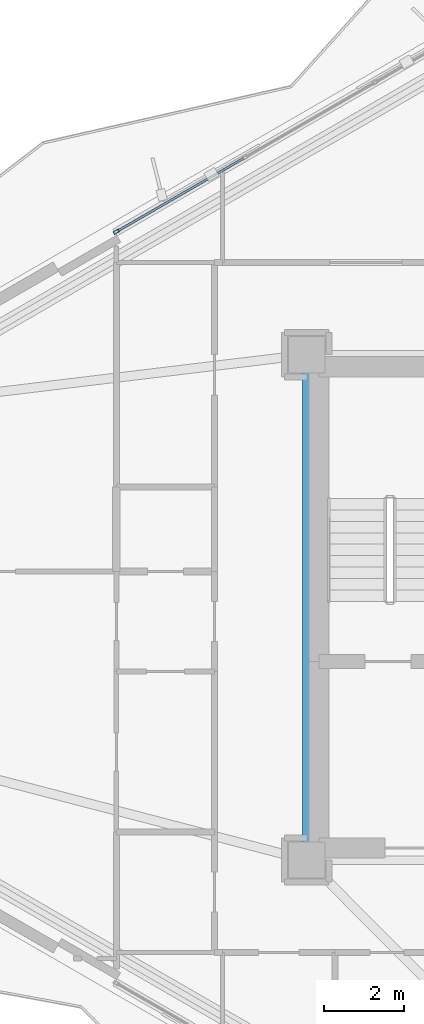
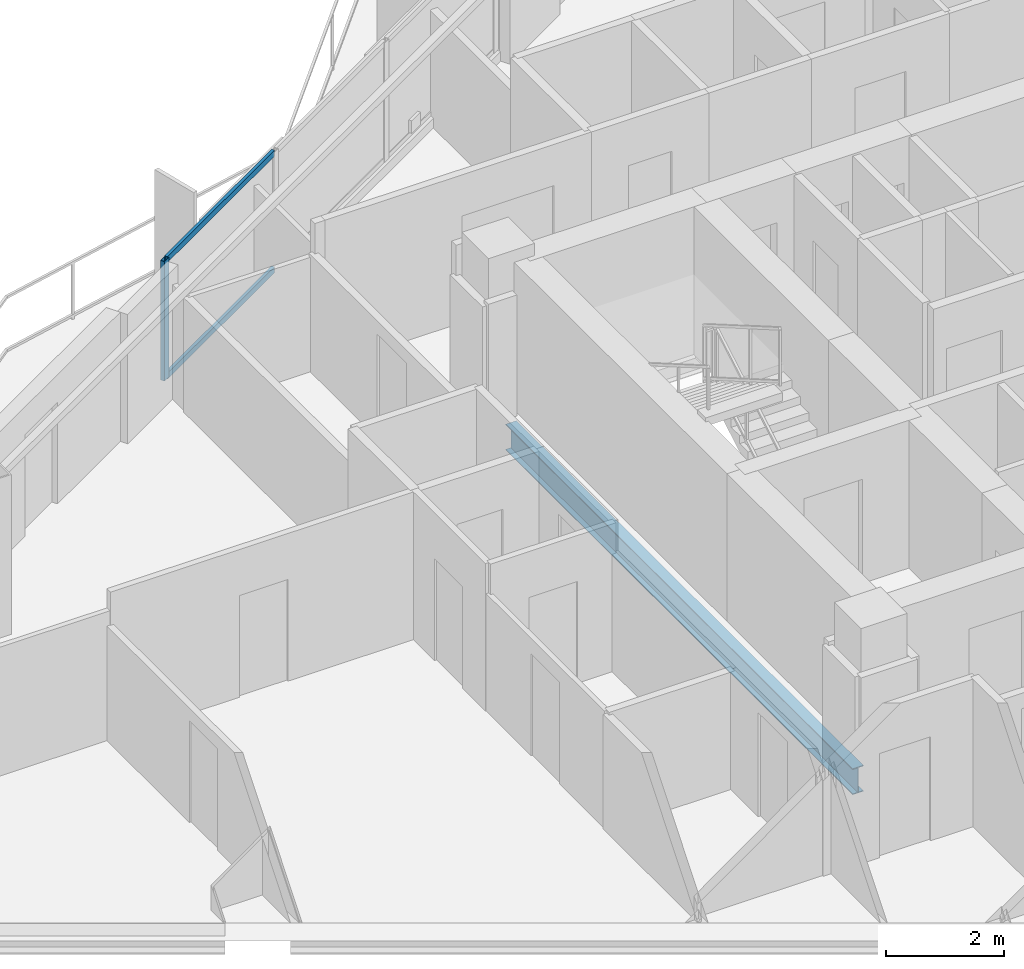
# One storey, part 6 of 23: 3 members, 1 beam, 1 element without a shape of its own.
"""IFC4 building model written with IfcOpenShell, lengths in metres."""

from ifc_helpers import new_model, si_unit, direction, frame, origin, origin_2d, place, context, subcontext, project, spatial, hollow_rectangle, i_section, extrude, material, layer, layer_set, material_profile, profile_set, type_object, element, aggregate, save


model = new_model("IFC4")

# Units and contexts
model_context = context("Model", 3, precision=1e-05, world=origin(), true_north=direction((0.0, 1.0)))
body_context = subcontext(model_context, "Body", "Model", "MODEL_VIEW")
ifc_project = project(units=[si_unit("LENGTHUNIT", "METRE"), si_unit("AREAUNIT", "SQUARE_METRE"), si_unit("VOLUMEUNIT", "CUBIC_METRE"), si_unit("PLANEANGLEUNIT", "RADIAN"), si_unit("MASSUNIT", "GRAM", prefix="KILO")], contexts=[model_context])

# Site, building, storey
site_placement = place(None, origin())
site = spatial("IfcSite", under=ifc_project, at=site_placement, CompositionType="ELEMENT")
building_placement = place(site_placement, origin())
building = spatial("IfcBuilding", under=site, at=building_placement, Name="Mersakhor Tower and Convention Hall", CompositionType="ELEMENT")
storey_placement = place(building_placement, frame((0.0, 0.0, 80.10009765625)))
storey = spatial("IfcBuildingStorey", under=building, at=storey_placement, Name="L21", CompositionType="ELEMENT", Elevation=80.10009765625)

# Beam
ifc_material_1 = material(Name="Steel S355", Category="steel")
ifc_material_profile_1 = material_profile(ifc_material_1, i_section(OverallWidth=0.2099609375, OverallDepth=0.53662109375, WebThickness=0.0107421875, FlangeThickness=0.017333984375, at=origin_2d()), Name="UB 533x210x101")
ifc_profile_set_1 = profile_set([ifc_material_profile_1], Name="Steel S355")
beam_type = type_object("IfcBeamType", Name="BM-FB-533", PredefinedType="BEAM", material=ifc_profile_set_1)
beam_placement = place(storey_placement, frame((21.89990234375, 20.8798828125, -0.5185546875), z_axis=(0.0, 1.0, 0.0), x_axis=(-1.0, 0.0, 0.0)))
element("IfcBeam", 1, at=beam_placement, inside=storey, type_object=beam_type, Name="L21 Core Ring Tie Beam CRB-1", PredefinedType="BEAM", context=body_context, shape_type="SweptSolid", body=[
    extrude(i_section(OverallWidth=0.2099609375, OverallDepth=0.53662109375, WebThickness=0.0107421875, FlangeThickness=0.017333984375, at=origin_2d()), origin(), (0.0, 0.0, 1.0), 11.740234375),
])

# Curtain wall, members
ifc_material_2 = material(Name="Dark solar low-E aluminium curtain wall", Category="aluminium")
ifc_layer = layer(ifc_material_2, 0.159912109375)
ifc_layer_set = layer_set([ifc_layer], Name="Dark solar low-E aluminium curtain wall")
curtain_wall_type = type_object("IfcCurtainWallType", Name="CW-SYS-01", PredefinedType="USERDEFINED", material=ifc_layer_set)
curtain_wall_placement = place(storey_placement, origin())
curtain_wall = element("IfcCurtainWall", 2, at=curtain_wall_placement, inside=storey, type_object=curtain_wall_type, Name="L21 Dark-Glass Curtain Wall F1-B2", ObjectType="CURTAIN WALL", PredefinedType="USERDEFINED")
ifc_material_3 = material(Name="Anodised aluminium EN AW-6063 T6", Category="aluminium")
ifc_material_profile_2 = material_profile(ifc_material_3, hollow_rectangle(XDim=0.074951171875, YDim=0.14990234375, WallThickness=0.00634765625, at=origin_2d()), Name="RHS 150x75x6.3")
ifc_profile_set_2 = profile_set([ifc_material_profile_2], Name="Anodised aluminium EN AW-6063 T6")
member_type_1 = type_object("IfcMemberType", Name="CWM-150x75", PredefinedType="MULLION", material=ifc_profile_set_2)
member_1_placement = place(storey_placement, frame((17.152587890625, 36.11572265625, 0.199951171875), z_axis=(0.0, 0.0, 1.0), x_axis=(-0.499997904985, 0.866026613339, 0.0)))
member_1 = element("IfcMember", 3, at=member_1_placement, type_object=member_type_1, Name="CW-01 mullion 1", PredefinedType="MULLION", context=body_context, shape_type="SweptSolid", body=[
    extrude(hollow_rectangle(XDim=0.074951171875, YDim=0.14990234375, WallThickness=0.00634765625, at=origin_2d()), origin(), (0.0, 0.0, 1.0), 2.469970703125),
])
ifc_material_4 = material(Name="Anodised aluminium EN AW-6063 T6", Category="aluminium")
ifc_material_profile_3 = material_profile(ifc_material_4, hollow_rectangle(XDim=0.06005859375, YDim=0.1201171875, WallThickness=0.0048828125, at=origin_2d()), Name="RHS 120x60x5")
ifc_profile_set_3 = profile_set([ifc_material_profile_3], Name="Anodised aluminium EN AW-6063 T6")
member_type_2 = type_object("IfcMemberType", Name="CWT-120x60", PredefinedType="USERDEFINED", material=ifc_profile_set_3)
member_2_placement = place(storey_placement, frame((17.18505859375, 36.134521484375, 0.22998046875), z_axis=(0.866045614266, 0.499964992784, 0.0), x_axis=(-0.499964992784, 0.866045614266, 0.0)))
member_2 = element("IfcMember", 4, at=member_2_placement, type_object=member_type_2, Name="CW-01 transom 1.1", ObjectType="TRANSOM", PredefinedType="USERDEFINED", context=body_context, shape_type="SweptSolid", body=[
    extrude(hollow_rectangle(XDim=0.06005859375, YDim=0.1201171875, WallThickness=0.0048828125, at=origin_2d()), origin(), (0.0, 0.0, 1.0), 3.630615234375),
])
member_3_placement = place(storey_placement, frame((17.18505859375, 36.134521484375, 2.639892578125), z_axis=(0.866045614266, 0.499964992784, 0.0), x_axis=(-0.499964992784, 0.866045614266, 0.0)))
member_3 = element("IfcMember", 5, at=member_3_placement, type_object=member_type_2, Name="CW-01 transom 1.2", ObjectType="TRANSOM", PredefinedType="USERDEFINED", context=body_context, shape_type="SweptSolid", body=[
    extrude(hollow_rectangle(XDim=0.06005859375, YDim=0.1201171875, WallThickness=0.0048828125, at=origin_2d()), origin(), (0.0, 0.0, 1.0), 3.630615234375),
])
aggregate(curtain_wall, [member_1, member_2, member_3])

save(model, "model.ifc")
